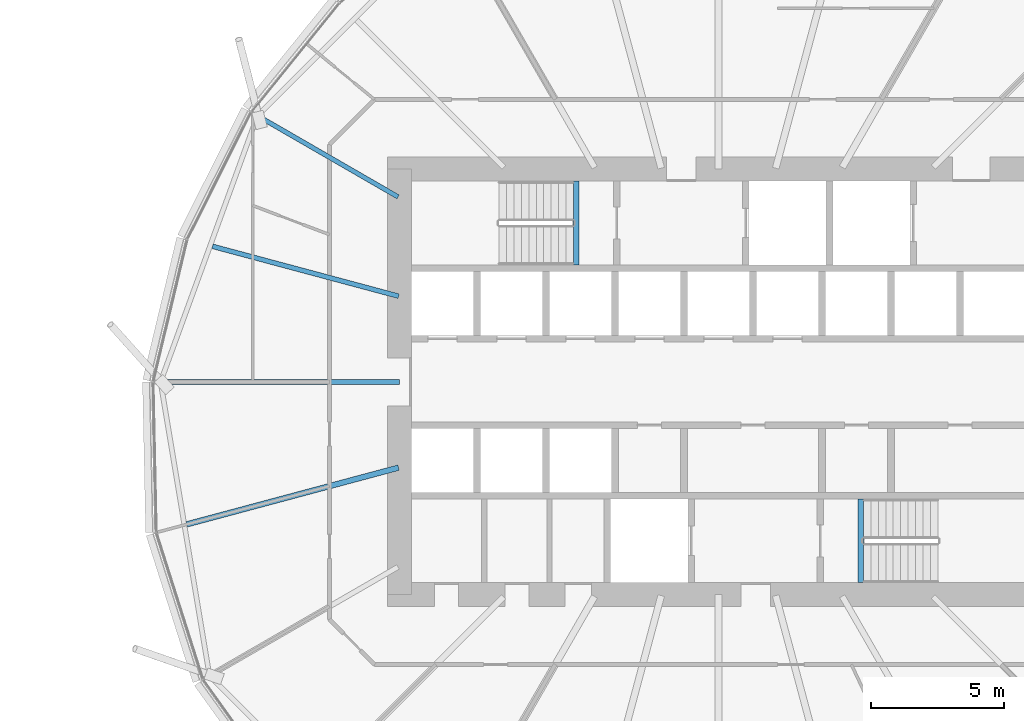
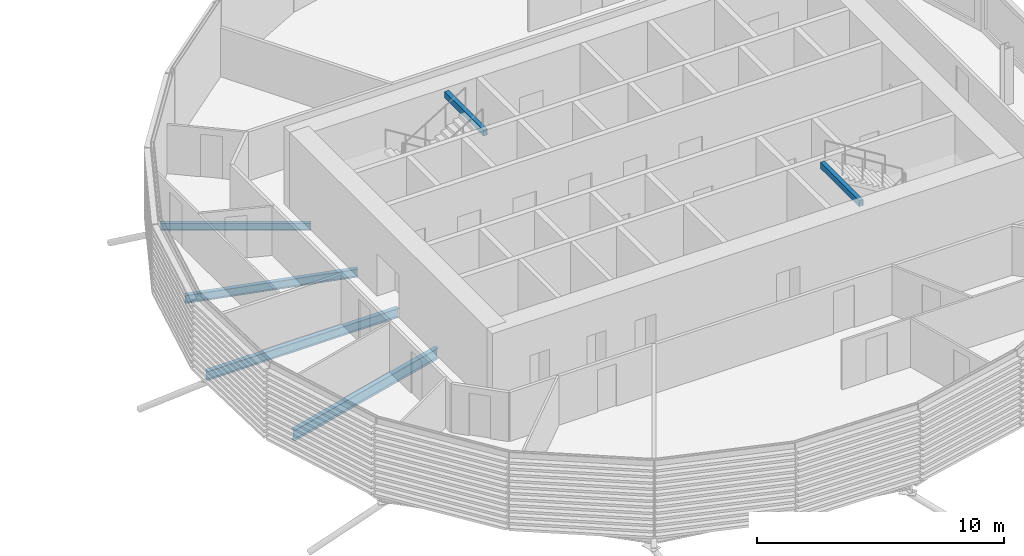
# One storey, part 15 of 38: 6 beams.
"""IFC4 building model written with IfcOpenShell, lengths in metres."""

from ifc_helpers import new_model, si_unit, direction, frame, origin, origin_2d, place, context, subcontext, project, spatial, hollow_rectangle, i_section, extrude, material, material_profile, profile_set, type_object, element, save


model = new_model("IFC4")

# Units and contexts
model_context = context("Model", 3, precision=1e-05, world=origin(), true_north=direction((0.0, 1.0)))
body_context = subcontext(model_context, "Body", "Model", "MODEL_VIEW")
ifc_project = project(units=[si_unit("LENGTHUNIT", "METRE"), si_unit("AREAUNIT", "SQUARE_METRE"), si_unit("VOLUMEUNIT", "CUBIC_METRE"), si_unit("PLANEANGLEUNIT", "RADIAN"), si_unit("MASSUNIT", "GRAM", prefix="KILO")], contexts=[model_context])

# Site, building, storey
site_placement = place(None, origin())
site = spatial("IfcSite", under=ifc_project, at=site_placement, CompositionType="ELEMENT")
building_placement = place(site_placement, origin())
building = spatial("IfcBuilding", under=site, at=building_placement, Name="Rimbun Link Towers", CompositionType="ELEMENT")
storey_placement = place(building_placement, frame((0.0, 0.0, 49.0)))
storey = spatial("IfcBuildingStorey", under=building, at=storey_placement, Name="L11", CompositionType="ELEMENT", Elevation=49.0)

# Beams
ifc_material_1 = material(Name="Steel S355J2", Category="steel")
ifc_material_profile_1 = material_profile(ifc_material_1, hollow_rectangle(XDim=0.199951171875, YDim=0.300048828125, WallThickness=0.011962890625, at=origin_2d()), Name="BOX 300x200x12")
ifc_profile_set_1 = profile_set([ifc_material_profile_1], Name="Steel S355J2")
beam_type_1 = type_object("IfcBeamType", Name="Stair trimmer beam BOX 300x200x12", PredefinedType="BEAM", material=ifc_profile_set_1)
for number, where, z_axis, x_axis, name in (
    (1, (26.39990234375, 7.550048828125, 3.489990234375), (0.0, -1.0, 0.0), (1.0, 0.0, 0.0), "L11 ST3 stair beam 1"),
    (2, (37.10009765625, -7.550048828125, 3.489990234375), (0.0, 1.0, 0.0), (-1.0, 0.0, 0.0), "L11 ST4 stair beam 1"),
):
    element("IfcBeam", number, at=place(storey_placement, frame(where, z_axis=z_axis, x_axis=x_axis)), inside=storey, type_object=beam_type_1, Name=name, PredefinedType="BEAM", context=body_context, shape_type="SweptSolid", body=[
        extrude(hollow_rectangle(XDim=0.199951171875, YDim=0.300048828125, WallThickness=0.011962890625, at=origin_2d()), origin(), (0.0, 0.0, 1.0), 3.150146484375),
    ])
ifc_material_2 = material(Name="Steel S355J2", Category="steel")
ifc_material_profile_2 = material_profile(ifc_material_2, i_section(OverallWidth=0.17138671875, OverallDepth=0.35498046875, WebThickness=0.00732421875, FlangeThickness=0.011474609375, at=origin_2d()), Name="UB 356x171x51")
ifc_profile_set_2 = profile_set([ifc_material_profile_2], Name="Steel S355J2")
beam_type_2 = type_object("IfcBeamType", Name="UB 356x171x51", PredefinedType="BEAM", material=ifc_profile_set_2)
beam_1_placement = place(storey_placement, frame((19.706298828125, 6.95361328125, -0.33740234375), z_axis=(-0.86603440996, 0.499984400523, 0.0), x_axis=(-0.499984400523, -0.86603440996, 0.0)))
element("IfcBeam", 3, at=beam_1_placement, inside=storey, type_object=beam_type_2, Name="Radial beam T2 L11 07", PredefinedType="BEAM", context=body_context, shape_type="SweptSolid", body=[
    extrude(i_section(OverallWidth=0.17138671875, OverallDepth=0.35498046875, WebThickness=0.00732421875, FlangeThickness=0.011474609375, at=origin_2d()), origin(), (0.0, 0.0, 1.0), 6.104736328125),
])
ifc_material_3 = material(Name="Steel S355J2", Category="steel")
ifc_material_profile_3 = material_profile(ifc_material_3, i_section(OverallWidth=0.177978515625, OverallDepth=0.406494140625, WebThickness=0.0078125, FlangeThickness=0.0126953125, at=origin_2d()), Name="UB 406x178x60")
ifc_profile_set_3 = profile_set([ifc_material_profile_3], Name="Steel S355J2")
beam_type_3 = type_object("IfcBeamType", Name="UB 406x178x60", PredefinedType="BEAM", material=ifc_profile_set_3)
beam_2_placement = place(storey_placement, frame((19.72607421875, 3.2216796875, -0.36328125), z_axis=(-0.965919925286, 0.258841066943, 0.0), x_axis=(-0.258841066943, -0.965919925286, 0.0)))
element("IfcBeam", 4, at=beam_2_placement, inside=storey, type_object=beam_type_3, Name="Radial beam T2 L11 08", PredefinedType="BEAM", context=body_context, shape_type="SweptSolid", body=[
    extrude(i_section(OverallWidth=0.177978515625, OverallDepth=0.406494140625, WebThickness=0.0078125, FlangeThickness=0.0126953125, at=origin_2d()), origin(), (0.0, 0.0, 1.0), 7.24560546875),
])
ifc_material_4 = material(Name="Steel S355J2", Category="steel")
ifc_material_profile_4 = material_profile(ifc_material_4, i_section(OverallWidth=0.18994140625, OverallDepth=0.453369140625, WebThickness=0.008544921875, FlangeThickness=0.0126953125, at=origin_2d()), Name="UB 457x191x67")
ifc_profile_set_4 = profile_set([ifc_material_profile_4], Name="Steel S355J2")
beam_type_4 = type_object("IfcBeamType", Name="UB 457x191x67", PredefinedType="BEAM", material=ifc_profile_set_4)
beam_3_placement = place(storey_placement, frame((19.7490234375, 0.0, -0.38671875), z_axis=(-1.0, 0.0, 0.0), x_axis=(0.0, -1.0, 0.0)))
element("IfcBeam", 5, at=beam_3_placement, inside=storey, type_object=beam_type_4, Name="Radial beam T2 L11 09", PredefinedType="BEAM", context=body_context, shape_type="SweptSolid", body=[
    extrude(i_section(OverallWidth=0.18994140625, OverallDepth=0.453369140625, WebThickness=0.008544921875, FlangeThickness=0.0126953125, at=origin_2d()), origin(), (0.0, 0.0, 1.0), 8.973876953125),
])
ifc_material_5 = material(Name="Steel S355J2", Category="steel")
ifc_material_profile_5 = material_profile(ifc_material_5, i_section(OverallWidth=0.209228515625, OverallDepth=0.533203125, WebThickness=0.010009765625, FlangeThickness=0.015625, at=origin_2d()), Name="UB 533x210x92")
ifc_profile_set_5 = profile_set([ifc_material_profile_5], Name="Steel S355J2")
beam_type_5 = type_object("IfcBeamType", Name="UB 533x210x92", PredefinedType="BEAM", material=ifc_profile_set_5)
beam_4_placement = place(storey_placement, frame((19.721923828125, -3.222900390625, -0.426513671875), z_axis=(-0.965929547306, -0.258805157678, 0.0), x_axis=(0.258805157678, -0.965929547306, 0.0)))
element("IfcBeam", 6, at=beam_4_placement, inside=storey, type_object=beam_type_5, Name="Radial beam T2 L11 10", PredefinedType="BEAM", context=body_context, shape_type="SweptSolid", body=[
    extrude(i_section(OverallWidth=0.209228515625, OverallDepth=0.533203125, WebThickness=0.010009765625, FlangeThickness=0.015625, at=origin_2d()), origin(), (0.0, 0.0, 1.0), 8.244873046875),
])

save(model, "model.ifc")
